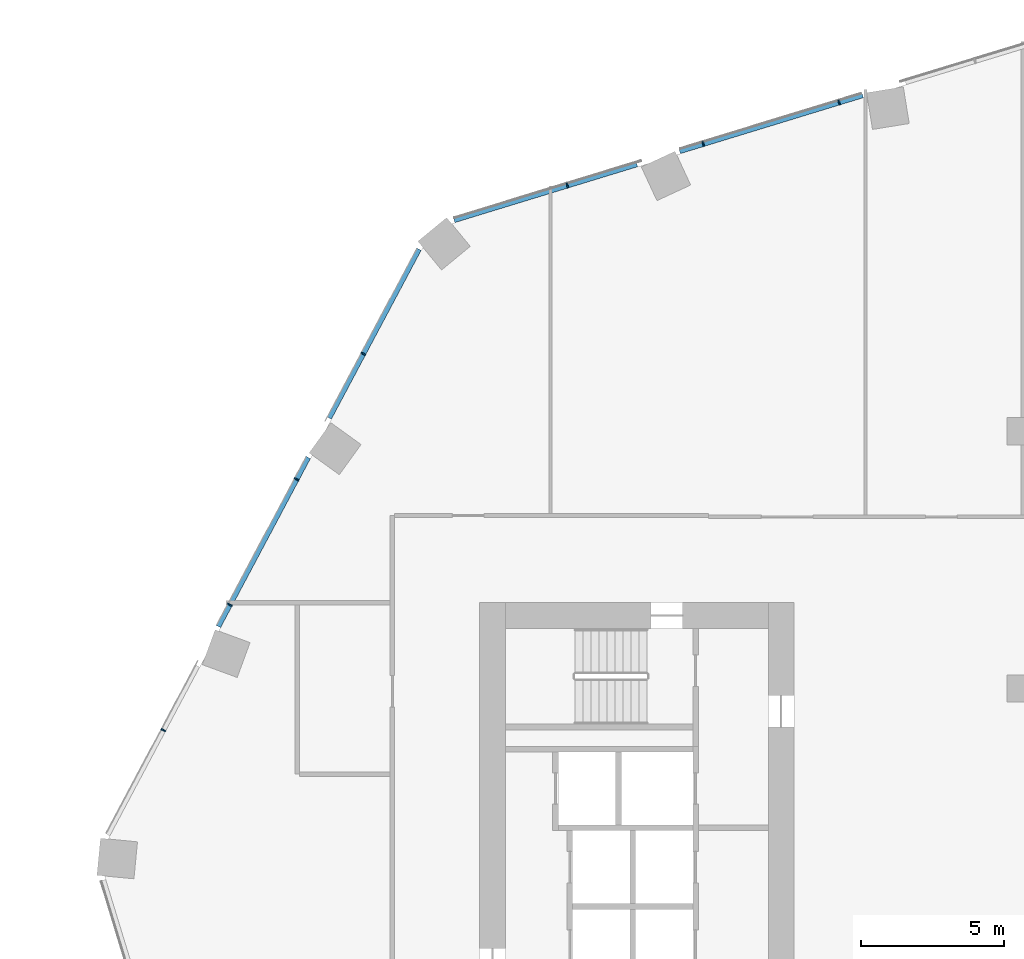
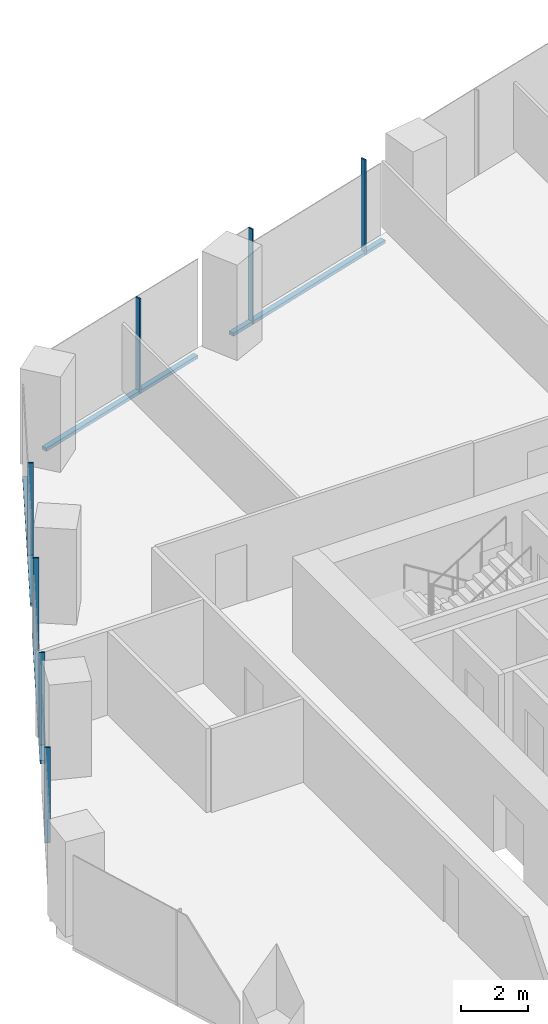
# One storey, part 11 of 31: 11 members, 2 elements without a shape of their own.
"""IFC4 building model written with IfcOpenShell, lengths in metres."""

from ifc_helpers import new_model, si_unit, direction, frame, origin, origin_2d, place, context, subcontext, project, spatial, rectangle, extrude, material, material_profile, profile_set, type_object, element, aggregate, save


model = new_model("IFC4")

# Units and contexts
model_context = context("Model", 3, precision=1e-05, world=origin(), true_north=direction((0.0, 1.0)))
body_context = subcontext(model_context, "Body", "Model", "MODEL_VIEW")
ifc_project = project(units=[si_unit("LENGTHUNIT", "METRE"), si_unit("AREAUNIT", "SQUARE_METRE"), si_unit("VOLUMEUNIT", "CUBIC_METRE"), si_unit("PLANEANGLEUNIT", "RADIAN"), si_unit("MASSUNIT", "GRAM", prefix="KILO")], contexts=[model_context])

# Site, building, storey
site_placement = place(None, origin())
site = spatial("IfcSite", under=ifc_project, at=site_placement, CompositionType="ELEMENT")
building_placement = place(site_placement, origin())
building = spatial("IfcBuilding", under=site, at=building_placement, Name="Orlundy Tower", CompositionType="ELEMENT")
storey_placement = place(building_placement, frame((0.0, 0.0, 94.699951171875)))
storey = spatial("IfcBuildingStorey", under=building, at=storey_placement, Name="L23", CompositionType="ELEMENT", Elevation=94.699951171875)

# Curtain wall, members
ifc_material_1 = material(Name="Aluminium bronze anodised", Category="aluminium")
curtain_wall_type = type_object("IfcCurtainWallType", Name="CW1 wall", PredefinedType="NOTDEFINED", material=ifc_material_1)
curtain_wall_1_placement = place(storey_placement, origin())
curtain_wall_1 = element("IfcCurtainWall", 1, at=curtain_wall_1_placement, inside=storey, type_object=curtain_wall_type, Name="CW1 run 02", PredefinedType="NOTDEFINED")
ifc_material_2 = material(Name="Aluminium bronze anodised", Category="aluminium")
ifc_material_profile_1 = material_profile(ifc_material_2, rectangle(XDim=0.179931640625, YDim=0.050048828125, at=origin_2d()), Name="CW1 mullion 50x180")
ifc_profile_set_1 = profile_set([ifc_material_profile_1], Name="Aluminium bronze anodised")
member_type_1 = type_object("IfcMemberType", Name="CW1 mullion 50x180", PredefinedType="MULLION", material=ifc_profile_set_1)
member_1_placement = place(storey_placement, frame((-30.068115234375, 7.54296875, -0.39990234375), z_axis=(0.0, 0.0, 1.0), x_axis=(-0.882961465544, 0.469445471129, 0.0)))
member_1 = element("IfcMember", 2, at=member_1_placement, type_object=member_type_1, Name="CW1 mullion 10", PredefinedType="MULLION", context=body_context, shape_type="SweptSolid", body=[
    extrude(rectangle(XDim=0.179931640625, YDim=0.050048828125, at=origin_2d()), origin(), (0.0, 0.0, 1.0), 3.5),
])
member_2_placement = place(storey_placement, frame((-27.734619140625, 11.931884765625, -0.39990234375), z_axis=(0.0, 0.0, 1.0), x_axis=(-0.882961465544, 0.469445471129, 0.0)))
member_2 = element("IfcMember", 3, at=member_2_placement, type_object=member_type_1, Name="CW1 mullion 11", PredefinedType="MULLION", context=body_context, shape_type="SweptSolid", body=[
    extrude(rectangle(XDim=0.179931640625, YDim=0.050048828125, at=origin_2d()), origin(), (0.0, 0.0, 1.0), 3.5),
])
member_3_placement = place(storey_placement, frame((-25.4013671875, 16.320556640625, -0.39990234375), z_axis=(0.0, 0.0, 1.0), x_axis=(-0.882961465544, 0.469445471129, 0.0)))
member_3 = element("IfcMember", 4, at=member_3_placement, type_object=member_type_1, Name="CW1 mullion 12", PredefinedType="MULLION", context=body_context, shape_type="SweptSolid", body=[
    extrude(rectangle(XDim=0.179931640625, YDim=0.050048828125, at=origin_2d()), origin(), (0.0, 0.0, 1.0), 3.5),
])
member_4_placement = place(storey_placement, frame((-23.06787109375, 20.70947265625, -0.39990234375), z_axis=(0.0, 0.0, 1.0), x_axis=(-0.882961465544, 0.469445471129, 0.0)))
member_4 = element("IfcMember", 5, at=member_4_placement, type_object=member_type_1, Name="CW1 mullion 13", PredefinedType="MULLION", context=body_context, shape_type="SweptSolid", body=[
    extrude(rectangle(XDim=0.179931640625, YDim=0.050048828125, at=origin_2d()), origin(), (0.0, 0.0, 1.0), 3.5),
])

curtain_wall_2_placement = place(storey_placement, origin())
curtain_wall_2 = element("IfcCurtainWall", 6, at=curtain_wall_2_placement, inside=storey, type_object=curtain_wall_type, Name="CW1 run 03", PredefinedType="NOTDEFINED")
member_5_placement = place(storey_placement, frame((-15.927978515625, 26.59521484375, -0.39990234375), z_axis=(0.0, 0.0, 1.0), x_axis=(-0.292360624804, 0.956308143364, 0.0)))
member_5 = element("IfcMember", 7, at=member_5_placement, type_object=member_type_1, Name="CW1 mullion 15", PredefinedType="MULLION", context=body_context, shape_type="SweptSolid", body=[
    extrude(rectangle(XDim=0.179931640625, YDim=0.050048828125, at=origin_2d()), origin(), (0.0, 0.0, 1.0), 3.5),
])
member_6_placement = place(storey_placement, frame((-11.174560546875, 28.048583984375, -0.39990234375), z_axis=(0.0, 0.0, 1.0), x_axis=(-0.292360624804, 0.956308143364, 0.0)))
member_6 = element("IfcMember", 8, at=member_6_placement, type_object=member_type_1, Name="CW1 mullion 16", PredefinedType="MULLION", context=body_context, shape_type="SweptSolid", body=[
    extrude(rectangle(XDim=0.179931640625, YDim=0.050048828125, at=origin_2d()), origin(), (0.0, 0.0, 1.0), 3.5),
])
member_7_placement = place(storey_placement, frame((-6.421142578125, 29.501708984375, -0.39990234375), z_axis=(0.0, 0.0, 1.0), x_axis=(-0.292360624804, 0.956308143364, 0.0)))
member_7 = element("IfcMember", 9, at=member_7_placement, type_object=member_type_1, Name="CW1 mullion 17", PredefinedType="MULLION", context=body_context, shape_type="SweptSolid", body=[
    extrude(rectangle(XDim=0.179931640625, YDim=0.050048828125, at=origin_2d()), origin(), (0.0, 0.0, 1.0), 3.5),
])

# Member
ifc_material_3 = material(Name="Aluminium bronze anodised", Category="aluminium")
ifc_material_profile_2 = material_profile(ifc_material_3, rectangle(XDim=0.179931640625, YDim=0.1201171875, at=origin_2d()), Name="CW1 transom 180x120")
ifc_profile_set_2 = profile_set([ifc_material_profile_2], Name="Aluminium bronze anodised")
member_type_2 = type_object("IfcMemberType", Name="CW1 transom 180x120", PredefinedType="USERDEFINED", material=ifc_profile_set_2)
member_8_placement = place(storey_placement, frame((-28.13916015625, 11.1708984375, -0.33984375), z_axis=(0.469421843638, 0.882974027203, 0.0), x_axis=(-0.882974027203, 0.469421843638, 0.0)))
member_8 = element("IfcMember", 10, at=member_8_placement, type_object=member_type_2, Name="CW1 transom", ObjectType="TRANSOM", PredefinedType="USERDEFINED", context=body_context, shape_type="SweptSolid", body=[
    extrude(rectangle(XDim=0.179931640625, YDim=0.1201171875, at=origin_2d()), origin(), (0.0, 0.0, 1.0), 6.694580078125),
])

member_9_placement = place(storey_placement, frame((-24.261962890625, 18.46337890625, -0.33984375), z_axis=(0.469433727662, 0.882967709111, 0.0), x_axis=(-0.882967709111, 0.469433727662, 0.0)))
member_9 = element("IfcMember", 11, at=member_9_placement, type_object=member_type_2, Name="CW1 transom", ObjectType="TRANSOM", PredefinedType="USERDEFINED", context=body_context, shape_type="SweptSolid", body=[
    extrude(rectangle(XDim=0.179931640625, YDim=0.1201171875, at=origin_2d()), origin(), (0.0, 0.0, 1.0), 6.6865234375),
])

aggregate(curtain_wall_1, [member_1, member_2, member_3, member_4, member_8, member_9])

member_10_placement = place(storey_placement, frame((-19.88818359375, 25.384521484375, -0.33984375), z_axis=(0.956312991932, 0.292344764725, 0.0), x_axis=(-0.292344764725, 0.956312991932, 0.0)))
member_10 = element("IfcMember", 12, at=member_10_placement, type_object=member_type_2, Name="CW1 transom", ObjectType="TRANSOM", PredefinedType="USERDEFINED", context=body_context, shape_type="SweptSolid", body=[
    extrude(rectangle(XDim=0.179931640625, YDim=0.1201171875, at=origin_2d()), origin(), (0.0, 0.0, 1.0), 6.6826171875),
])

member_11_placement = place(storey_placement, frame((-11.998291015625, 27.796630859375, -0.33984375), z_axis=(0.956307391667, 0.292363083585, 0.0), x_axis=(-0.292363083585, 0.956307391667, 0.0)))
member_11 = element("IfcMember", 13, at=member_11_placement, type_object=member_type_2, Name="CW1 transom", ObjectType="TRANSOM", PredefinedType="USERDEFINED", context=body_context, shape_type="SweptSolid", body=[
    extrude(rectangle(XDim=0.179931640625, YDim=0.1201171875, at=origin_2d()), origin(), (0.0, 0.0, 1.0), 6.69384765625),
])

aggregate(curtain_wall_2, [member_5, member_6, member_7, member_10, member_11])

save(model, "model.ifc")
